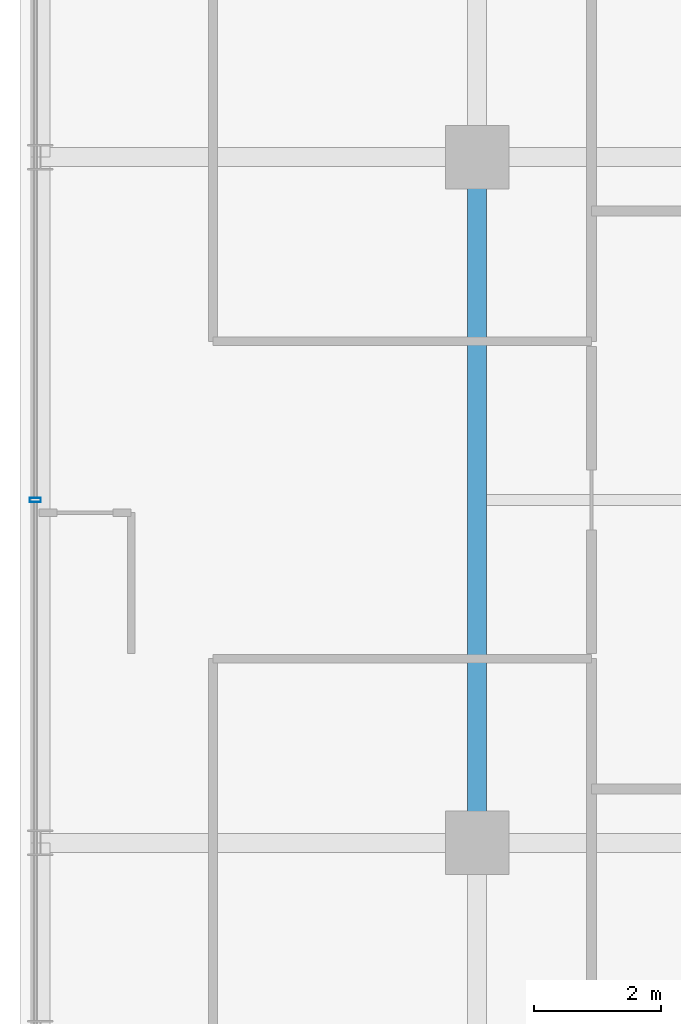
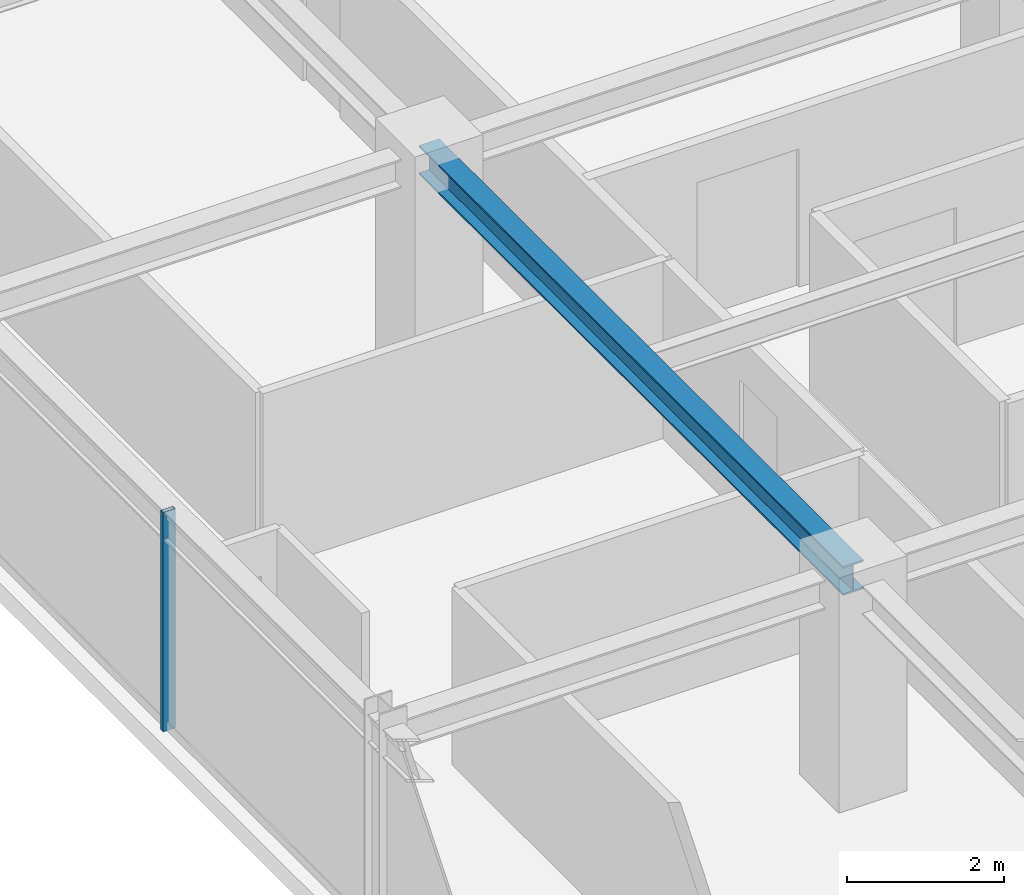
# One storey, part 10 of 36: 1 beam, 1 member, 1 element without a shape of its own.
"""IFC4 building model written with IfcOpenShell, lengths in metres."""

from ifc_helpers import new_model, si_unit, direction, frame, origin, origin_2d, place, context, subcontext, project, spatial, hollow_rectangle, i_section, extrude, source, transform, mapped, material, material_profile, profile_set, type_object, element, aggregate, save


model = new_model("IFC4")

# Units and contexts
model_context = context("Model", 3, precision=1e-05, world=origin(), true_north=direction((0.0, 1.0)))
body_context = subcontext(model_context, "Body", "Model", "MODEL_VIEW")
ifc_project = project(units=[si_unit("LENGTHUNIT", "METRE"), si_unit("AREAUNIT", "SQUARE_METRE"), si_unit("VOLUMEUNIT", "CUBIC_METRE"), si_unit("PLANEANGLEUNIT", "RADIAN"), si_unit("MASSUNIT", "GRAM", prefix="KILO")], contexts=[model_context])

# Site, building, storey
site_placement = place(None, origin())
site = spatial("IfcSite", under=ifc_project, at=site_placement, CompositionType="ELEMENT")
building_placement = place(site_placement, origin())
building = spatial("IfcBuilding", under=site, at=building_placement, Name="Nahalor Promenade Grand Hotel", CompositionType="ELEMENT")
storey_placement = place(building_placement, frame((0.0, 0.0, 234.5)))
storey = spatial("IfcBuildingStorey", under=building, at=storey_placement, Name="L60", CompositionType="ELEMENT", Elevation=234.5)

# Beam
ifc_material_1 = material(Name="Steel S355JR", Category="steel")
ifc_material_profile_1 = material_profile(ifc_material_1, i_section(OverallWidth=0.3, OverallDepth=0.45, WebThickness=0.014, FlangeThickness=0.026, at=origin_2d()), Name="HEB 450")
ifc_profile_set_1 = profile_set([ifc_material_profile_1], Name="Steel S355JR")
beam_type = type_object("IfcBeamType", Name="Beam-Girder-HEB450", PredefinedType="BEAM", material=ifc_profile_set_1)
shared_shape_1 = source(origin(), body_context, "Body", "SweptSolid", [
    extrude(i_section(OverallWidth=0.3, OverallDepth=0.45, WebThickness=0.014, FlangeThickness=0.026, at=origin_2d()), origin(), (0.0, 0.0, 1.0), 10.7998046875),
])
beam_placement = place(storey_placement, frame((-17.0, -5.39990234375, 3.18505859375), z_axis=(0.0, 1.0, 0.0), x_axis=(-1.0, 0.0, 0.0)))
element("IfcBeam", 1, at=beam_placement, inside=storey, type_object=beam_type, Name="BM-L60-GY-0-2", PredefinedType="BEAM", context=body_context, shape_type="MappedRepresentation", body=[
    mapped(shared_shape_1, transform((0.0, 0.0, 0.0), scale=1.0)),
])

# Curtain wall, member
ifc_material_2 = material(Name="Anodised Bronze Aluminium EN AW-6063 T6", Category="aluminium")
curtain_wall_type = type_object("IfcCurtainWallType", Name="CW2 Typical Hotel Flush Bronze Unitised Curtain Wall", PredefinedType="USERDEFINED", material=ifc_material_2)
curtain_wall_placement = place(storey_placement, origin())
curtain_wall = element("IfcCurtainWall", 2, at=curtain_wall_placement, inside=storey, type_object=curtain_wall_type, Name="L60 Curtain Wall CW-L60-W-1", ObjectType="UNITISED_CURTAIN_WALL", PredefinedType="USERDEFINED")
ifc_material_profile_2 = material_profile(ifc_material_2, hollow_rectangle(XDim=0.065, YDim=0.18, WallThickness=0.004, at=origin_2d()), Name="CWM 65x180x4")
ifc_profile_set_2 = profile_set([ifc_material_profile_2], Name="Anodised Bronze Aluminium EN AW-6063 T6")
member_type = type_object("IfcMemberType", Name="CWM2 Typical Bronze Mullion 65x180", PredefinedType="MULLION", material=ifc_profile_set_2)
shared_shape_2 = source(origin(), body_context, "Body", "SweptSolid", [
    extrude(hollow_rectangle(XDim=0.065, YDim=0.18, WallThickness=0.004, at=origin_2d()), origin(), (0.0, 0.0, 1.0), 3.409912109375),
])
member_placement = place(storey_placement, frame((-23.9599609375, 0.0, 0.0), z_axis=(0.0, 0.0, 1.0), x_axis=(0.0, 1.0, 0.0)))
member = element("IfcMember", 3, at=member_placement, type_object=member_type, Name="CW-L60-W-1 Mullion 2", PredefinedType="MULLION", context=body_context, shape_type="MappedRepresentation", body=[
    mapped(shared_shape_2, transform((0.0, 0.0, 0.0), scale=1.0)),
])
aggregate(curtain_wall, [member])

save(model, "model.ifc")
